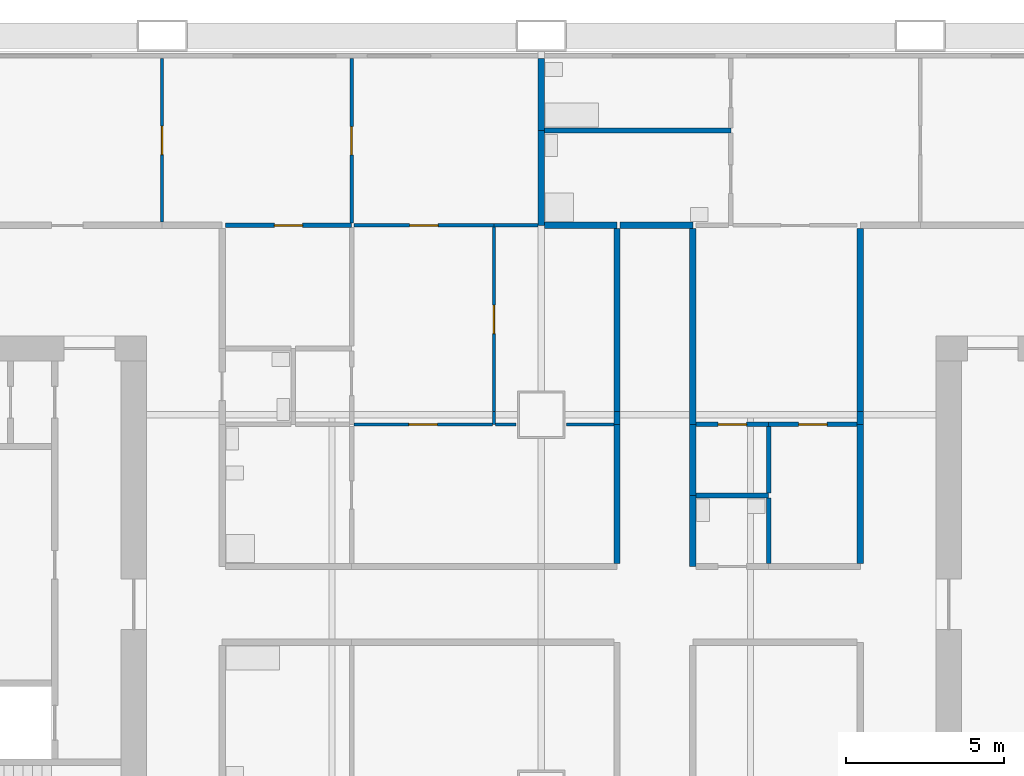
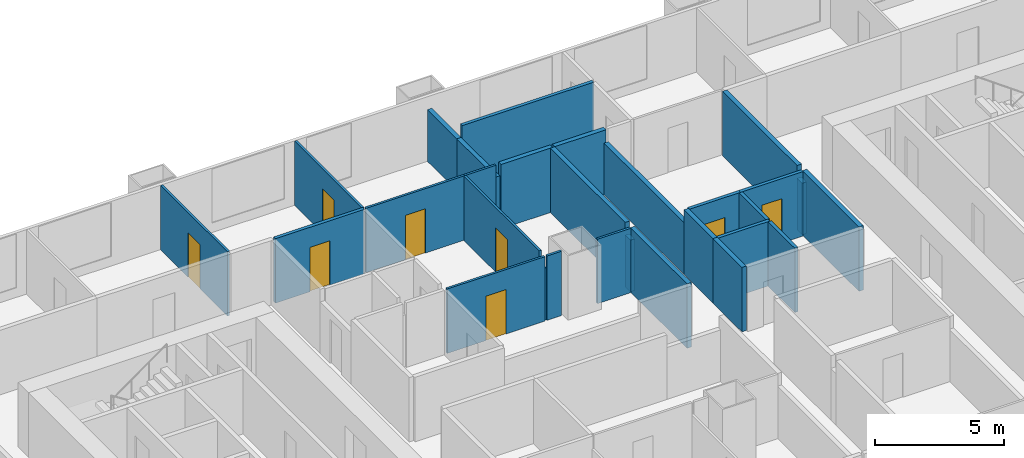
# One storey, part 8 of 13: 29 walls, 8 doors, 8 openings.
"""IFC4 building model written with IfcOpenShell, lengths in metres."""

import ifcopenshell
import ifcopenshell.guid

model = None  # the IFC model being written
_history = None  # IfcOwnerHistory: only IFC2X3 demands one
_inside = {}  # id of a spatial element -> (the spatial element, [elements in it])
_under = {}  # id of a project, library or spatial element -> (it, [spatial elements below it])
_declared = {}  # id of a project -> (the project, [libraries it declares])
_typed = {}  # id of a type object -> (the type object, [elements of that type])
_made_of = {}  # id of a material, layer set ... -> (it, [elements and type objects made of it])


def new_model(schema):
    """Start an empty IFC model of exactly this schema.

    Asked for "IFC4X3", IfcOpenShell would pick the latest addendum, in which some entities
    have other attributes; the version numbers below select the first issue.
    IFC2X3 requires an IfcOwnerHistory on every rooted entity: one is made here for all.
    """
    global model, _history
    if schema == "IFC4X3":
        model = ifcopenshell.file(schema_version=(4, 3, 0, 0))
    else:
        model = ifcopenshell.file(schema=schema)
    _inside.clear()
    _under.clear()
    _declared.clear()
    _typed.clear()
    _made_of.clear()
    _history = None
    if model.schema == "IFC2X3":
        org = make("IfcOrganization", Name="unknown")
        user = make(
            "IfcPersonAndOrganization",
            ThePerson=make("IfcPerson", FamilyName="unknown"),
            TheOrganization=org,
        )
        app = make(
            "IfcApplication",
            ApplicationDeveloper=org,
            Version="unknown",
            ApplicationFullName="unknown",
            ApplicationIdentifier="unknown",
        )
        _history = make(
            "IfcOwnerHistory",
            OwningUser=user,
            OwningApplication=app,
            ChangeAction="ADDED",
            CreationDate=0,
        )
    return model


def make(cls, **values):
    """One entity of the class cls with the attributes given. An attribute that is None is left unset."""
    return model.create_entity(
        cls, **{name: value for name, value in values.items() if value is not None}
    )


def rooted(cls, **values):
    """An entity with a GlobalId (a new one), such as an element, a storey or a relation."""
    return make(cls, GlobalId=ifcopenshell.guid.new(), OwnerHistory=_history, **values)


def si_unit(unit_type, name, prefix=None):
    """IfcSIUnit, for example si_unit("LENGTHUNIT", "METRE", prefix="MILLI")."""
    return make("IfcSIUnit", UnitType=unit_type, Prefix=prefix, Name=name)


def assignment(units):
    """IfcUnitAssignment: the units of a project."""
    return None if units is None else make("IfcUnitAssignment", Units=units)


def point(xyz):
    """IfcCartesianPoint."""
    return None if xyz is None else make("IfcCartesianPoint", Coordinates=xyz)


def direction(xyz):
    """IfcDirection."""
    return None if xyz is None else make("IfcDirection", DirectionRatios=xyz)


def frame(location, z_axis=None, x_axis=None):
    """IfcAxis2Placement3D, a coordinate frame: its origin and axes. An axis left out is left unset."""
    return make(
        "IfcAxis2Placement3D",
        Location=point(location),
        Axis=direction(z_axis),
        RefDirection=direction(x_axis),
    )


def frame_2d(location, x_axis=None):
    """IfcAxis2Placement2D, a coordinate frame in the plane: its origin and x axis."""
    return make(
        "IfcAxis2Placement2D", Location=point(location), RefDirection=direction(x_axis)
    )


def origin():
    """The frame at (0, 0, 0) with its axes left unset."""
    return frame((0.0, 0.0, 0.0))


def place(relative_to, where):
    """IfcLocalPlacement: puts the frame where relative to a parent placement (None: the world)."""
    return make(
        "IfcLocalPlacement", PlacementRelTo=relative_to, RelativePlacement=where
    )


def context(
    kind, dimensions, precision=None, world=None, true_north=None, identifier=None
):
    """IfcGeometricRepresentationContext, for example the 3D "Model" context."""
    return make(
        "IfcGeometricRepresentationContext",
        ContextIdentifier=identifier,
        ContextType=kind,
        CoordinateSpaceDimension=dimensions,
        Precision=precision,
        WorldCoordinateSystem=world,
        TrueNorth=true_north,
    )


def subcontext(parent, identifier, kind, view, scale=None):
    """IfcGeometricRepresentationSubContext, for example "Body" below "Model"."""
    return make(
        "IfcGeometricRepresentationSubContext",
        ContextIdentifier=identifier,
        ContextType=kind,
        ParentContext=parent,
        TargetScale=scale,
        TargetView=view,
    )


def project(units=None, contexts=None):
    """IfcProject with its units and contexts."""
    return rooted(
        "IfcProject",
        Name="project",
        RepresentationContexts=contexts,
        UnitsInContext=assignment(units),
    )


def spatial(cls, under=None, at=None, **own):
    """A site, building, storey or space (cls), placed at a placement, below another one or the project."""
    s = rooted(cls, ObjectPlacement=at, **own)
    if under is not None:
        _under.setdefault(under.id(), (under, []))[1].append(s)
    return s


def profile(cls, at=None, kind="AREA", **sizes):
    """A parametric profile (cls). Its sizes go by their IFC names, for example OverallWidth=200.0."""
    return make(cls, ProfileType=kind, Position=at, **sizes)


def rectangle(**sizes):
    """IfcRectangleProfileDef."""
    return profile("IfcRectangleProfileDef", **sizes)


def extrude(swept, where, along, depth):
    """IfcExtrudedAreaSolid: the profile swept, set in the frame where, extruded along a direction by depth."""
    return make(
        "IfcExtrudedAreaSolid",
        SweptArea=swept,
        Position=where,
        ExtrudedDirection=direction(along),
        Depth=depth,
    )


def shape(context_of_items, identifier, shape_type, items):
    """IfcShapeRepresentation: the items that make up one representation, for example the "Body"."""
    return make(
        "IfcShapeRepresentation",
        ContextOfItems=context_of_items,
        RepresentationIdentifier=identifier,
        RepresentationType=shape_type,
        Items=items,
    )


def material(Name=None, Category=None):
    """IfcMaterial."""
    return make("IfcMaterial", Name=Name, Category=Category)


def layer(
    of_material, thickness, ventilated=None, Name=None, Category=None, Priority=None
):
    """IfcMaterialLayer: one layer of a wall or slab, of a material (None: an air gap)."""
    return make(
        "IfcMaterialLayer",
        Material=of_material,
        LayerThickness=thickness,
        IsVentilated=ventilated,
        Name=Name,
        Category=Category,
        Priority=Priority,
    )


def layer_set(layers, Name=None):
    """IfcMaterialLayerSet."""
    return make("IfcMaterialLayerSet", MaterialLayers=layers, LayerSetName=Name)


def made_of(thing, what):
    """Note that an element or type object is made of a material, layer set ...; save() writes the relation."""
    if what is not None:
        _made_of.setdefault(what.id(), (what, []))[1].append(thing)
    return thing


def type_object(cls, material=None, **own):
    """A type object (cls), such as IfcWallType, which elements share."""
    return made_of(rooted(cls, **own), material)


def element(
    cls,
    number,
    at=None,
    inside=None,
    cuts=None,
    type_object=None,
    material=None,
    context=None,
    identifier="Body",
    shape_type=None,
    held_by="IfcProductDefinitionShape",
    body=None,
    shapes=None,
    **own,
):
    """One element of the class cls, such as IfcWall. Its Tag is "e" and its number.

    at: its placement. inside: the storey or other place that contains it. cuts: it is an
    opening in that element (IfcRelVoidsElement). A single representation is given by context,
    identifier, shape_type and body (its items); several are given by shapes. held_by: the class
    of the entity that holds the representations. save() writes the other relations.
    """
    e = rooted(cls, Tag="e%d" % number, ObjectPlacement=at, **own)
    if body is not None:
        shapes = [shape(context, identifier, shape_type, body)]
    if shapes is not None:
        e.Representation = make(held_by, Representations=shapes)
    if inside is not None:
        _inside.setdefault(inside.id(), (inside, []))[1].append(e)
    if cuts is not None:
        rooted(
            "IfcRelVoidsElement", RelatingBuildingElement=cuts, RelatedOpeningElement=e
        )
    if type_object is not None:
        _typed.setdefault(type_object.id(), (type_object, []))[1].append(e)
    return made_of(e, material)


def fill(opening, filler):
    """IfcRelFillsElement: the door or window that sits in an opening."""
    return rooted(
        "IfcRelFillsElement",
        RelatingOpeningElement=opening,
        RelatedBuildingElement=filler,
    )


def aggregate(whole, parts):
    """IfcRelAggregates: a whole, such as a stair, and the parts it consists of."""
    return rooted("IfcRelAggregates", RelatingObject=whole, RelatedObjects=parts)


def save(model, path):
    """Write the relations noted so far, then the file.

    IfcRelAggregates (storeys below a building ...), IfcRelContainedInSpatialStructure (elements
    in a storey), IfcRelDefinesByType, IfcRelAssociatesMaterial and IfcRelDeclares: one each for
    every whole, place, type object, material and project.
    """
    for whole, parts in _under.values():
        aggregate(whole, parts)
    for where, things in _inside.values():
        rooted(
            "IfcRelContainedInSpatialStructure",
            RelatedElements=things,
            RelatingStructure=where,
        )
    for kind, things in _typed.values():
        rooted("IfcRelDefinesByType", RelatedObjects=things, RelatingType=kind)
    for what, things in _made_of.values():
        rooted("IfcRelAssociatesMaterial", RelatedObjects=things, RelatingMaterial=what)
    for by, libraries in _declared.values():
        rooted("IfcRelDeclares", RelatingContext=by, RelatedDefinitions=libraries)
    model.write(path)


model = new_model("IFC4")

# Units and contexts
model_context = context("Model", 3, precision=1e-05, world=origin(), true_north=direction((0.0, 1.0)))
body_context = subcontext(model_context, "Body", "Model", "MODEL_VIEW")
ifc_project = project(units=[si_unit("LENGTHUNIT", "METRE"), si_unit("AREAUNIT", "SQUARE_METRE"), si_unit("VOLUMEUNIT", "CUBIC_METRE"), si_unit("PLANEANGLEUNIT", "RADIAN"), si_unit("MASSUNIT", "GRAM", prefix="KILO")], contexts=[model_context])

# Site, building, storey
site_placement = place(None, origin())
site = spatial("IfcSite", under=ifc_project, at=site_placement, CompositionType="ELEMENT")
building_placement = place(site_placement, origin())
building = spatial("IfcBuilding", under=site, at=building_placement, Name="Kitamizu Gate Tower and Museum", CompositionType="ELEMENT")
storey_placement = place(building_placement, frame((0.0, 0.0, 88.64990234375)))
storey = spatial("IfcBuildingStorey", under=building, at=storey_placement, Name="L22", CompositionType="ELEMENT", Elevation=88.64990234375)

# Wall, opening, door
ifc_material_1 = material(Name="Gypsum board on galvanised stud")
ifc_layer_1 = layer(ifc_material_1, 0.10009765625)
ifc_layer_set_1 = layer_set([ifc_layer_1], Name="Gypsum board on galvanised stud")
wall_type_1 = type_object("IfcWallType", Name="Partition 100 NOT RATED", PredefinedType="PARTITIONING", material=ifc_layer_set_1)
wall_1_placement = place(storey_placement, frame((24.0, 42.10009765625, 0.0), z_axis=(0.0, 0.0, 1.0), x_axis=(0.0, 1.0, 0.0)))
wall_1 = element("IfcWall", 1, at=wall_1_placement, inside=storey, type_object=wall_type_1, Name="Partition L22-087", PredefinedType="PARTITIONING", context=body_context, shape_type="SweptSolid", body=[
    extrude(rectangle(XDim=5.179931640625, YDim=0.10009765625, at=frame_2d((2.58984375, 0.0))), origin(), (0.0, 0.0, 1.0), 3.050048828125),
])
opening_1_placement = place(wall_1_placement, frame((2.139892578125, 0.0, 0.0)))
opening_1 = element("IfcOpeningElement", 2, at=opening_1_placement, cuts=wall_1, Name="Opening L22-032", PredefinedType="OPENING", context=body_context, shape_type="SweptSolid", body=[
    extrude(rectangle(XDim=0.89990234375, YDim=2.10009765625, at=frame_2d((0.449951171875, 1.050048828125))), frame((0.0, 0.06005859375, 0.0), z_axis=(0.0, -1.0, 0.0), x_axis=(1.0, 0.0, 0.0)), (0.0, 0.0, 1.0), 0.1201171875),
])
ifc_material_2 = material(Name="Timber door set", Category="wood")
door_type_1 = type_object("IfcDoorType", Name="Room door 900", OperationType="NOTDEFINED", PredefinedType="DOOR", material=ifc_material_2)
door_1_placement = place(opening_1_placement, frame((0.89990234375, 0.0, 0.0), x_axis=(-1.0, 0.0, 0.0)))
door_1 = element("IfcDoor", 3, at=door_1_placement, inside=storey, type_object=door_type_1, Name="Door L22-032", OperationType="SINGLE_SWING_LEFT", OverallHeight=2.10009765625, OverallWidth=0.89990234375, PredefinedType="DOOR", context=body_context, shape_type="SweptSolid", body=[
    extrude(rectangle(XDim=0.89990234375, YDim=2.10009765625, at=frame_2d((0.449951171875, 1.050048828125))), frame((0.0, 0.02490234375, 0.0), z_axis=(0.0, -1.0, 0.0), x_axis=(1.0, 0.0, 0.0)), (0.0, 0.0, 1.0), 0.050048828125),
])
fill(opening_1, door_1)

wall_2_placement = place(storey_placement, frame((30.0, 42.074951171875, 0.0), z_axis=(0.0, 0.0, 1.0), x_axis=(0.0, 1.0, 0.0)))
wall_2 = element("IfcWall", 4, at=wall_2_placement, inside=storey, type_object=wall_type_1, Name="Partition L22-089", PredefinedType="PARTITIONING", context=body_context, shape_type="SweptSolid", body=[
    extrude(rectangle(XDim=5.205078125, YDim=0.10009765625, at=frame_2d((2.6025390625, 0.0))), origin(), (0.0, 0.0, 1.0), 3.050048828125),
])
opening_2_placement = place(wall_2_placement, frame((2.152587890625, 0.0, 0.0)))
opening_2 = element("IfcOpeningElement", 5, at=opening_2_placement, cuts=wall_2, Name="Opening L22-033", PredefinedType="OPENING", context=body_context, shape_type="SweptSolid", body=[
    extrude(rectangle(XDim=0.89990234375, YDim=2.10009765625, at=frame_2d((0.449951171875, 1.050048828125))), frame((0.0, 0.06005859375, 0.0), z_axis=(0.0, -1.0, 0.0), x_axis=(1.0, 0.0, 0.0)), (0.0, 0.0, 1.0), 0.1201171875),
])
door_2_placement = place(opening_2_placement, origin())
door_2 = element("IfcDoor", 6, at=door_2_placement, inside=storey, type_object=door_type_1, Name="Door L22-033", OperationType="SINGLE_SWING_LEFT", OverallHeight=2.10009765625, OverallWidth=0.89990234375, PredefinedType="DOOR", context=body_context, shape_type="SweptSolid", body=[
    extrude(rectangle(XDim=0.89990234375, YDim=2.10009765625, at=frame_2d((0.449951171875, 1.050048828125))), frame((0.0, 0.02490234375, 0.0), z_axis=(0.0, -1.0, 0.0), x_axis=(1.0, 0.0, 0.0)), (0.0, 0.0, 1.0), 0.050048828125),
])
fill(opening_2, door_2)

wall_3_placement = place(storey_placement, frame((30.074951171875, 42.0, 0.0), z_axis=(0.0, 0.0, 1.0), x_axis=(1.0, 0.0, 0.0)))
wall_3 = element("IfcWall", 7, at=wall_3_placement, inside=storey, type_object=wall_type_1, Name="Partition L22-092", PredefinedType="PARTITIONING", context=body_context, shape_type="SweptSolid", body=[
    extrude(rectangle(XDim=4.425048828125, YDim=0.10009765625, at=frame_2d((2.21240234375, 0.0))), origin(), (0.0, 0.0, 1.0), 3.050048828125),
])
opening_3_placement = place(wall_3_placement, frame((1.762451171875, 0.0, 0.0)))
opening_3 = element("IfcOpeningElement", 8, at=opening_3_placement, cuts=wall_3, Name="Opening L22-035", PredefinedType="OPENING", context=body_context, shape_type="SweptSolid", body=[
    extrude(rectangle(XDim=0.89990234375, YDim=2.10009765625, at=frame_2d((0.449951171875, 1.050048828125))), frame((0.0, 0.06005859375, 0.0), z_axis=(0.0, -1.0, 0.0), x_axis=(1.0, 0.0, 0.0)), (0.0, 0.0, 1.0), 0.1201171875),
])
door_3_placement = place(opening_3_placement, frame((0.89990234375, 0.0, 0.0), x_axis=(-1.0, 0.0, 0.0)))
door_3 = element("IfcDoor", 9, at=door_3_placement, inside=storey, type_object=door_type_1, Name="Door L22-035", OperationType="SINGLE_SWING_RIGHT", OverallHeight=2.10009765625, OverallWidth=0.89990234375, PredefinedType="DOOR", context=body_context, shape_type="SweptSolid", body=[
    extrude(rectangle(XDim=0.89990234375, YDim=2.10009765625, at=frame_2d((0.449951171875, 1.050048828125))), frame((0.0, 0.02490234375, 0.0), z_axis=(0.0, -1.0, 0.0), x_axis=(1.0, 0.0, 0.0)), (0.0, 0.0, 1.0), 0.050048828125),
])
fill(opening_3, door_3)

# Walls
wall_4_placement = place(storey_placement, frame((34.5, 42.0, 0.0), z_axis=(0.0, 0.0, 1.0), x_axis=(1.0, 0.0, 0.0)))
element("IfcWall", 10, at=wall_4_placement, inside=storey, type_object=wall_type_1, Name="Partition L22-093", PredefinedType="PARTITIONING", context=body_context, shape_type="SweptSolid", body=[
    extrude(rectangle(XDim=1.39990234375, YDim=0.10009765625, at=frame_2d((0.699951171875, 0.0))), origin(), (0.0, 0.0, 1.0), 3.050048828125),
])
wall_5_placement = place(storey_placement, frame((34.5, 35.699951171875, 0.0), z_axis=(0.0, 0.0, 1.0), x_axis=(0.0, 1.0, 0.0)))
element("IfcWall", 11, at=wall_5_placement, inside=storey, type_object=wall_type_1, Name="Partition L22-107", PredefinedType="PARTITIONING", context=body_context, shape_type="SweptSolid", body=[
    extrude(rectangle(XDim=0.400146484375, YDim=0.10009765625, at=frame_2d((0.2001953125, 0.0))), origin(), (0.0, 0.0, 1.0), 2.4501953125),
])

# Wall, opening, door
wall_6_placement = place(storey_placement, frame((34.5, 36.10009765625, 0.0), z_axis=(0.0, 0.0, 1.0), x_axis=(0.0, 1.0, 0.0)))
wall_6 = element("IfcWall", 12, at=wall_6_placement, inside=storey, type_object=wall_type_1, Name="Partition L22-108", PredefinedType="PARTITIONING", context=body_context, shape_type="SweptSolid", body=[
    extrude(rectangle(XDim=5.849853515625, YDim=0.10009765625, at=frame_2d((2.9248046875, 0.0))), origin(), (0.0, 0.0, 1.0), 3.050048828125),
])
opening_4_placement = place(wall_6_placement, frame((2.47509765625, 0.0, 0.0)))
opening_4 = element("IfcOpeningElement", 13, at=opening_4_placement, cuts=wall_6, Name="Opening L22-036", PredefinedType="OPENING", context=body_context, shape_type="SweptSolid", body=[
    extrude(rectangle(XDim=0.89990234375, YDim=2.10009765625, at=frame_2d((0.449951171875, 1.050048828125))), frame((0.0, 0.06005859375, 0.0), z_axis=(0.0, -1.0, 0.0), x_axis=(1.0, 0.0, 0.0)), (0.0, 0.0, 1.0), 0.1201171875),
])
door_4_placement = place(opening_4_placement, frame((0.89990234375, 0.0, 0.0), x_axis=(-1.0, 0.0, 0.0)))
door_4 = element("IfcDoor", 14, at=door_4_placement, inside=storey, type_object=door_type_1, Name="Door L22-036", OperationType="SINGLE_SWING_LEFT", OverallHeight=2.10009765625, OverallWidth=0.89990234375, PredefinedType="DOOR", context=body_context, shape_type="SweptSolid", body=[
    extrude(rectangle(XDim=0.89990234375, YDim=2.10009765625, at=frame_2d((0.449951171875, 1.050048828125))), frame((0.0, 0.02490234375, 0.0), z_axis=(0.0, -1.0, 0.0), x_axis=(1.0, 0.0, 0.0)), (0.0, 0.0, 1.0), 0.050048828125),
])
fill(opening_4, door_4)

wall_7_placement = place(storey_placement, frame((30.074951171875, 35.699951171875, 0.0), z_axis=(0.0, 0.0, 1.0), x_axis=(1.0, 0.0, 0.0)))
wall_7 = element("IfcWall", 15, at=wall_7_placement, inside=storey, type_object=wall_type_1, Name="Partition L22-109", PredefinedType="PARTITIONING", context=body_context, shape_type="SweptSolid", body=[
    extrude(rectangle(XDim=4.375, YDim=0.10009765625, at=frame_2d((2.1875, 0.0))), origin(), (0.0, 0.0, 1.0), 3.050048828125),
])
opening_5_placement = place(wall_7_placement, frame((1.737548828125, 0.0, 0.0)))
opening_5 = element("IfcOpeningElement", 16, at=opening_5_placement, cuts=wall_7, Name="Opening L22-037", PredefinedType="OPENING", context=body_context, shape_type="SweptSolid", body=[
    extrude(rectangle(XDim=0.89990234375, YDim=2.10009765625, at=frame_2d((0.449951171875, 1.050048828125))), frame((0.0, 0.06005859375, 0.0), z_axis=(0.0, -1.0, 0.0), x_axis=(1.0, 0.0, 0.0)), (0.0, 0.0, 1.0), 0.1201171875),
])
door_5_placement = place(opening_5_placement, origin())
door_5 = element("IfcDoor", 17, at=door_5_placement, inside=storey, type_object=door_type_1, Name="Door L22-037", OperationType="SINGLE_SWING_LEFT", OverallHeight=2.10009765625, OverallWidth=0.89990234375, PredefinedType="DOOR", context=body_context, shape_type="SweptSolid", body=[
    extrude(rectangle(XDim=0.89990234375, YDim=2.10009765625, at=frame_2d((0.449951171875, 1.050048828125))), frame((0.0, 0.02490234375, 0.0), z_axis=(0.0, -1.0, 0.0), x_axis=(1.0, 0.0, 0.0)), (0.0, 0.0, 1.0), 0.050048828125),
])
fill(opening_5, door_5)

# Walls
wall_8_placement = place(storey_placement, frame((34.550048828125, 35.699951171875, 0.0), z_axis=(0.0, 0.0, 1.0), x_axis=(1.0, 0.0, 0.0)))
element("IfcWall", 18, at=wall_8_placement, inside=storey, type_object=wall_type_1, Name="Partition L22-110", PredefinedType="PARTITIONING", context=body_context, shape_type="SweptSolid", body=[
    extrude(rectangle(XDim=0.64990234375, YDim=0.10009765625, at=frame_2d((0.324951171875, 0.0))), origin(), (0.0, 0.0, 1.0), 3.050048828125),
])
wall_9_placement = place(storey_placement, frame((36.800048828125, 35.699951171875, 0.0), z_axis=(0.0, 0.0, 1.0), x_axis=(1.0, 0.0, 0.0)))
element("IfcWall", 19, at=wall_9_placement, inside=storey, type_object=wall_type_1, Name="Partition L22-111", PredefinedType="PARTITIONING", context=body_context, shape_type="SweptSolid", body=[
    extrude(rectangle(XDim=1.5, YDim=0.10009765625, at=frame_2d((0.75, 0.0))), origin(), (0.0, 0.0, 1.0), 3.050048828125),
])

# Wall, opening, door
ifc_material_3 = material(Name="Gypsum board on galvanised stud")
ifc_layer_2 = layer(ifc_material_3, 0.14990234375)
ifc_layer_set_2 = layer_set([ifc_layer_2], Name="Gypsum board on galvanised stud")
wall_type_2 = type_object("IfcWallType", Name="Partition 150", PredefinedType="PARTITIONING", material=ifc_layer_set_2)
wall_10_placement = place(storey_placement, frame((26.0, 42.0, 0.0), z_axis=(0.0, 0.0, 1.0), x_axis=(1.0, 0.0, 0.0)))
wall_10 = element("IfcWall", 20, at=wall_10_placement, inside=storey, type_object=wall_type_2, Name="Partition L22-090", PredefinedType="PARTITIONING", context=body_context, shape_type="SweptSolid", body=[
    extrude(rectangle(XDim=4.0, YDim=0.14990234375, at=frame_2d((2.0, 0.0))), origin(), (0.0, 0.0, 1.0), 3.050048828125),
])
opening_6_placement = place(wall_10_placement, frame((1.550048828125, 0.0, 0.0)))
opening_6 = element("IfcOpeningElement", 21, at=opening_6_placement, cuts=wall_10, Name="Opening L22-034", PredefinedType="OPENING", context=body_context, shape_type="SweptSolid", body=[
    extrude(rectangle(XDim=0.89990234375, YDim=2.10009765625, at=frame_2d((0.449951171875, 1.050048828125))), frame((0.0, 0.0849609375, 0.0), z_axis=(0.0, -1.0, 0.0), x_axis=(1.0, 0.0, 0.0)), (0.0, 0.0, 1.0), 0.169921875),
])
ifc_material_4 = material(Name="Timber door set", Category="wood")
door_type_2 = type_object("IfcDoorType", Name="Bathroom door 900", OperationType="NOTDEFINED", PredefinedType="DOOR", material=ifc_material_4)
door_6_placement = place(opening_6_placement, frame((0.89990234375, 0.0, 0.0), x_axis=(-1.0, 0.0, 0.0)))
door_6 = element("IfcDoor", 22, at=door_6_placement, inside=storey, type_object=door_type_2, Name="Bathroom door L22-034", OperationType="SINGLE_SWING_LEFT", OverallHeight=2.10009765625, OverallWidth=0.89990234375, PredefinedType="DOOR", context=body_context, shape_type="SweptSolid", body=[
    extrude(rectangle(XDim=0.89990234375, YDim=2.10009765625, at=frame_2d((0.449951171875, 1.050048828125))), frame((0.0, 0.02490234375, 0.0), z_axis=(0.0, -1.0, 0.0), x_axis=(1.0, 0.0, 0.0)), (0.0, 0.0, 1.0), 0.050048828125),
])
fill(opening_6, door_6)

# Wall
wall_11_placement = place(storey_placement, frame((42.0, 45.0, 0.0), z_axis=(0.0, 0.0, 1.0), x_axis=(-1.0, 0.0, 0.0)))
element("IfcWall", 23, at=wall_11_placement, inside=storey, type_object=wall_type_2, Name="Partition L22-188", PredefinedType="PARTITIONING", context=body_context, shape_type="SweptSolid", body=[
    extrude(rectangle(XDim=5.89990234375, YDim=0.14990234375, at=frame_2d((2.949951171875, 0.0))), origin(), (0.0, 0.0, 1.0), 3.050048828125),
])

# Wall, opening, door
wall_12_placement = place(storey_placement, frame((40.89990234375, 35.699951171875, 0.0), z_axis=(0.0, 0.0, 1.0), x_axis=(1.0, 0.0, 0.0)))
wall_12 = element("IfcWall", 24, at=wall_12_placement, inside=storey, type_object=wall_type_2, Name="Partition L22-201", PredefinedType="PARTITIONING", context=body_context, shape_type="SweptSolid", body=[
    extrude(rectangle(XDim=2.300048828125, YDim=0.14990234375, at=frame_2d((1.14990234375, 0.0))), origin(), (0.0, 0.0, 1.0), 3.050048828125),
])
opening_7_placement = place(wall_12_placement, frame((0.699951171875, 0.0, 0.0)))
opening_7 = element("IfcOpeningElement", 25, at=opening_7_placement, cuts=wall_12, Name="Opening L22-071", PredefinedType="OPENING", context=body_context, shape_type="SweptSolid", body=[
    extrude(rectangle(XDim=0.89990234375, YDim=2.10009765625, at=frame_2d((0.449951171875, 1.050048828125))), frame((0.0, 0.0849609375, 0.0), z_axis=(0.0, -1.0, 0.0), x_axis=(1.0, 0.0, 0.0)), (0.0, 0.0, 1.0), 0.169921875),
])
door_7_placement = place(opening_7_placement, frame((0.89990234375, 0.0, 0.0), x_axis=(-1.0, 0.0, 0.0)))
door_7 = element("IfcDoor", 26, at=door_7_placement, inside=storey, type_object=door_type_2, Name="Bathroom door L22-071", OperationType="SINGLE_SWING_RIGHT", OverallHeight=2.10009765625, OverallWidth=0.89990234375, PredefinedType="DOOR", context=body_context, shape_type="SweptSolid", body=[
    extrude(rectangle(XDim=0.89990234375, YDim=2.10009765625, at=frame_2d((0.449951171875, 1.050048828125))), frame((0.0, 0.02490234375, 0.0), z_axis=(0.0, -1.0, 0.0), x_axis=(1.0, 0.0, 0.0)), (0.0, 0.0, 1.0), 0.050048828125),
])
fill(opening_7, door_7)

wall_13_placement = place(storey_placement, frame((43.199951171875, 35.699951171875, 0.0), z_axis=(0.0, 0.0, 1.0), x_axis=(1.0, 0.0, 0.0)))
wall_13 = element("IfcWall", 27, at=wall_13_placement, inside=storey, type_object=wall_type_2, Name="Partition L22-202", PredefinedType="PARTITIONING", context=body_context, shape_type="SweptSolid", body=[
    extrude(rectangle(XDim=2.800048828125, YDim=0.14990234375, at=frame_2d((1.39990234375, 0.0))), origin(), (0.0, 0.0, 1.0), 3.050048828125),
])
opening_8_placement = place(wall_13_placement, frame((0.949951171875, 0.0, 0.0)))
opening_8 = element("IfcOpeningElement", 28, at=opening_8_placement, cuts=wall_13, Name="Opening L22-072", PredefinedType="OPENING", context=body_context, shape_type="SweptSolid", body=[
    extrude(rectangle(XDim=0.89990234375, YDim=2.10009765625, at=frame_2d((0.449951171875, 1.050048828125))), frame((0.0, 0.0849609375, 0.0), z_axis=(0.0, -1.0, 0.0), x_axis=(1.0, 0.0, 0.0)), (0.0, 0.0, 1.0), 0.169921875),
])
door_8_placement = place(opening_8_placement, frame((0.89990234375, 0.0, 0.0), x_axis=(-1.0, 0.0, 0.0)))
door_8 = element("IfcDoor", 29, at=door_8_placement, inside=storey, type_object=door_type_2, Name="Bathroom door L22-072", OperationType="SINGLE_SWING_LEFT", OverallHeight=2.10009765625, OverallWidth=0.89990234375, PredefinedType="DOOR", context=body_context, shape_type="SweptSolid", body=[
    extrude(rectangle(XDim=0.89990234375, YDim=2.10009765625, at=frame_2d((0.449951171875, 1.050048828125))), frame((0.0, 0.02490234375, 0.0), z_axis=(0.0, -1.0, 0.0), x_axis=(1.0, 0.0, 0.0)), (0.0, 0.0, 1.0), 0.050048828125),
])
fill(opening_8, door_8)

# Walls
wall_14_placement = place(storey_placement, frame((43.199951171875, 33.449951171875, 0.0), z_axis=(0.0, 0.0, 1.0), x_axis=(-1.0, 0.0, 0.0)))
element("IfcWall", 30, at=wall_14_placement, inside=storey, type_object=wall_type_2, Name="Partition L22-206", PredefinedType="PARTITIONING", context=body_context, shape_type="SweptSolid", body=[
    extrude(rectangle(XDim=2.300048828125, YDim=0.14990234375, at=frame_2d((1.14990234375, 0.0))), origin(), (0.0, 0.0, 1.0), 3.050048828125),
])
wall_15_placement = place(storey_placement, frame((43.199951171875, 31.300048828125, 0.0), z_axis=(0.0, 0.0, 1.0), x_axis=(0.0, 1.0, 0.0)))
element("IfcWall", 31, at=wall_15_placement, inside=storey, type_object=wall_type_2, Name="Partition L22-207", PredefinedType="PARTITIONING", context=body_context, shape_type="SweptSolid", body=[
    extrude(rectangle(XDim=2.074951171875, YDim=0.14990234375, at=frame_2d((1.03759765625, 0.0))), origin(), (0.0, 0.0, 1.0), 3.050048828125),
])
wall_16_placement = place(storey_placement, frame((43.199951171875, 33.52490234375, 0.0), z_axis=(0.0, 0.0, 1.0), x_axis=(0.0, 1.0, 0.0)))
element("IfcWall", 32, at=wall_16_placement, inside=storey, type_object=wall_type_2, Name="Partition L22-210", PredefinedType="PARTITIONING", context=body_context, shape_type="SweptSolid", body=[
    extrude(rectangle(XDim=2.10009765625, YDim=0.14990234375, at=frame_2d((1.050048828125, 0.0))), origin(), (0.0, 0.0, 1.0), 3.050048828125),
])
ifc_material_5 = material(Name="Gypsum board on galvanised stud")
ifc_layer_3 = layer(ifc_material_5, 0.199951171875)
ifc_layer_set_3 = layer_set([ifc_layer_3], Name="Gypsum board on galvanised stud")
wall_type_3 = type_object("IfcWallType", Name="Partition 200", PredefinedType="PARTITIONING", material=ifc_layer_set_3)
wall_17_placement = place(storey_placement, frame((36.0, 42.0, 0.0), z_axis=(0.0, 0.0, 1.0), x_axis=(0.0, 1.0, 0.0)))
element("IfcWall", 33, at=wall_17_placement, inside=storey, type_object=wall_type_3, Name="Partition L22-094", PredefinedType="PARTITIONING", context=body_context, shape_type="SweptSolid", body=[
    extrude(rectangle(XDim=3.0, YDim=0.199951171875, at=frame_2d((1.5, 0.0))), origin(), (0.0, 0.0, 1.0), 2.4501953125),
])
wall_18_placement = place(storey_placement, frame((36.0, 45.0, 0.0), z_axis=(0.0, 0.0, 1.0), x_axis=(0.0, 1.0, 0.0)))
element("IfcWall", 34, at=wall_18_placement, inside=storey, type_object=wall_type_3, Name="Partition L22-095", PredefinedType="PARTITIONING", context=body_context, shape_type="SweptSolid", body=[
    extrude(rectangle(XDim=2.280029296875, YDim=0.199951171875, at=frame_2d((1.14013671875, 0.0))), origin(), (0.0, 0.0, 1.0), 2.4501953125),
])
wall_19_placement = place(storey_placement, frame((38.39990234375, 42.0, 0.0), z_axis=(0.0, 0.0, 1.0), x_axis=(-1.0, 0.0, 0.0)))
element("IfcWall", 35, at=wall_19_placement, inside=storey, type_object=wall_type_3, Name="Partition L22-112", PredefinedType="PARTITIONING", context=body_context, shape_type="SweptSolid", body=[
    extrude(rectangle(XDim=2.2998046875, YDim=0.199951171875, at=frame_2d((1.14990234375, 0.0))), origin(), (0.0, 0.0, 1.0), 3.050048828125),
])
wall_20_placement = place(storey_placement, frame((38.39990234375, 35.699951171875, 0.0), z_axis=(0.0, 0.0, 1.0), x_axis=(0.0, 1.0, 0.0)))
element("IfcWall", 36, at=wall_20_placement, inside=storey, type_object=wall_type_3, Name="Partition L22-113", PredefinedType="PARTITIONING", context=body_context, shape_type="SweptSolid", body=[
    extrude(rectangle(XDim=0.400146484375, YDim=0.199951171875, at=frame_2d((0.2001953125, 0.0))), origin(), (0.0, 0.0, 1.0), 2.4501953125),
])
wall_21_placement = place(storey_placement, frame((38.39990234375, 36.10009765625, 0.0), z_axis=(0.0, 0.0, 1.0), x_axis=(0.0, 1.0, 0.0)))
element("IfcWall", 37, at=wall_21_placement, inside=storey, type_object=wall_type_3, Name="Partition L22-114", PredefinedType="PARTITIONING", context=body_context, shape_type="SweptSolid", body=[
    extrude(rectangle(XDim=5.7998046875, YDim=0.199951171875, at=frame_2d((2.89990234375, 0.0))), origin(), (0.0, 0.0, 1.0), 3.050048828125),
])
wall_22_placement = place(storey_placement, frame((38.39990234375, 31.300048828125, 0.0), z_axis=(0.0, 0.0, 1.0), x_axis=(0.0, 1.0, 0.0)))
element("IfcWall", 38, at=wall_22_placement, inside=storey, type_object=wall_type_3, Name="Partition L22-120", PredefinedType="PARTITIONING", context=body_context, shape_type="SweptSolid", body=[
    extrude(rectangle(XDim=4.39990234375, YDim=0.199951171875, at=frame_2d((2.199951171875, 0.0))), origin(), (0.0, 0.0, 1.0), 3.050048828125),
])
wall_23_placement = place(storey_placement, frame((38.5, 42.0, 0.0), z_axis=(0.0, 0.0, 1.0), x_axis=(1.0, 0.0, 0.0)))
element("IfcWall", 39, at=wall_23_placement, inside=storey, type_object=wall_type_3, Name="Partition L22-191", PredefinedType="PARTITIONING", context=body_context, shape_type="SweptSolid", body=[
    extrude(rectangle(XDim=2.300048828125, YDim=0.199951171875, at=frame_2d((1.14990234375, 0.0))), origin(), (0.0, 0.0, 1.0), 3.050048828125),
])
wall_24_placement = place(storey_placement, frame((40.800048828125, 41.89990234375, 0.0), z_axis=(0.0, 0.0, 1.0), x_axis=(0.0, -1.0, 0.0)))
element("IfcWall", 40, at=wall_24_placement, inside=storey, type_object=wall_type_3, Name="Partition L22-203", PredefinedType="PARTITIONING", context=body_context, shape_type="SweptSolid", body=[
    extrude(rectangle(XDim=6.199951171875, YDim=0.199951171875, at=frame_2d((3.10009765625, 0.0))), origin(), (0.0, 0.0, 1.0), 2.4501953125),
])
wall_25_placement = place(storey_placement, frame((46.10009765625, 35.699951171875, 0.0), z_axis=(0.0, 0.0, 1.0), x_axis=(0.0, 1.0, 0.0)))
element("IfcWall", 41, at=wall_25_placement, inside=storey, type_object=wall_type_3, Name="Partition L22-204", PredefinedType="PARTITIONING", context=body_context, shape_type="SweptSolid", body=[
    extrude(rectangle(XDim=0.400146484375, YDim=0.199951171875, at=frame_2d((0.2001953125, 0.0))), origin(), (0.0, 0.0, 1.0), 2.4501953125),
])
wall_26_placement = place(storey_placement, frame((46.10009765625, 36.10009765625, 0.0), z_axis=(0.0, 0.0, 1.0), x_axis=(0.0, 1.0, 0.0)))
element("IfcWall", 42, at=wall_26_placement, inside=storey, type_object=wall_type_3, Name="Partition L22-205", PredefinedType="PARTITIONING", context=body_context, shape_type="SweptSolid", body=[
    extrude(rectangle(XDim=5.7998046875, YDim=0.199951171875, at=frame_2d((2.89990234375, 0.0))), origin(), (0.0, 0.0, 1.0), 3.050048828125),
])
for number, where, z_axis, x_axis, name in (
    (43, (40.800048828125, 33.449951171875, 0.0), (0.0, 0.0, 1.0), (0.0, -1.0, 0.0), "Partition L22-208"),
    (44, (40.800048828125, 35.699951171875, 0.0), (0.0, 0.0, 1.0), (0.0, -1.0, 0.0), "Partition L22-211"),
):
    element("IfcWall", number, at=place(storey_placement, frame(where, z_axis=z_axis, x_axis=x_axis)), inside=storey, type_object=wall_type_3, Name=name, PredefinedType="PARTITIONING", context=body_context, shape_type="SweptSolid", body=[
        extrude(rectangle(XDim=2.25, YDim=0.199951171875, at=frame_2d((1.125, 0.0))), origin(), (0.0, 0.0, 1.0), 3.050048828125),
    ])
wall_27_placement = place(storey_placement, frame((46.10009765625, 31.300048828125, 0.0), z_axis=(0.0, 0.0, 1.0), x_axis=(0.0, 1.0, 0.0)))
element("IfcWall", 45, at=wall_27_placement, inside=storey, type_object=wall_type_3, Name="Partition L22-213", PredefinedType="PARTITIONING", context=body_context, shape_type="SweptSolid", body=[
    extrude(rectangle(XDim=4.39990234375, YDim=0.199951171875, at=frame_2d((2.199951171875, 0.0))), origin(), (0.0, 0.0, 1.0), 3.050048828125),
])

save(model, "model.ifc")
